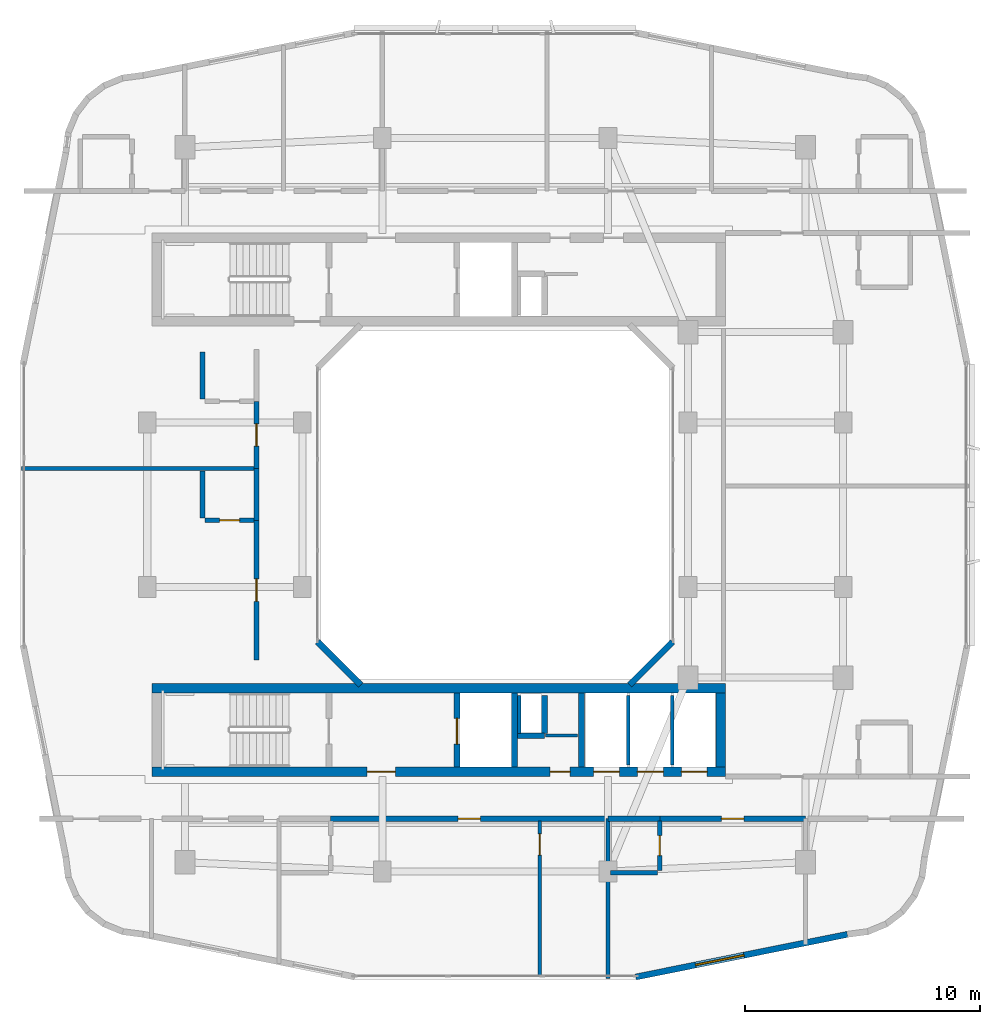
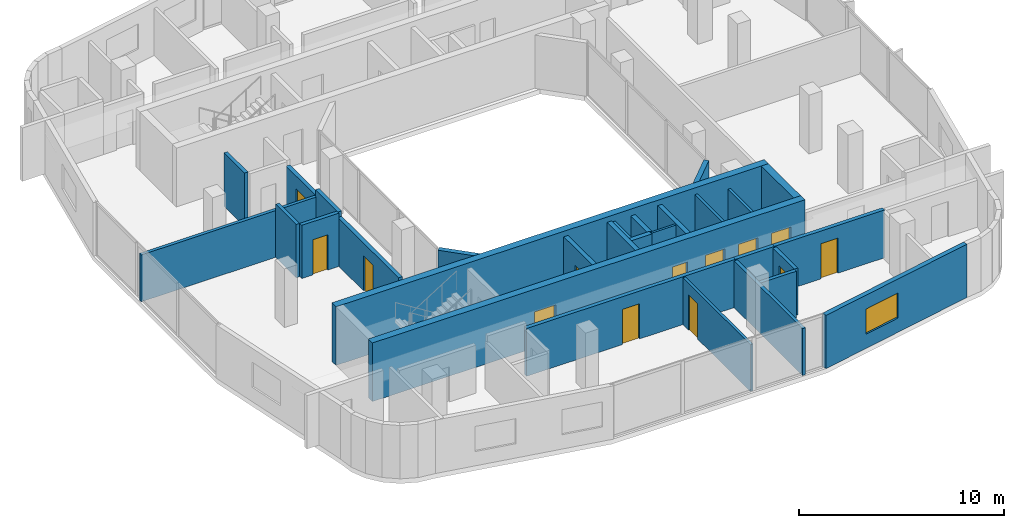
# One storey, part 7 of 14: 29 walls, 13 doors, 1 window, 14 openings.
"""IFC4 building model written with IfcOpenShell, lengths in metres."""

import ifcopenshell
import ifcopenshell.guid

model = None  # the IFC model being written
_history = None  # IfcOwnerHistory: only IFC2X3 demands one
_inside = {}  # id of a spatial element -> (the spatial element, [elements in it])
_under = {}  # id of a project, library or spatial element -> (it, [spatial elements below it])
_declared = {}  # id of a project -> (the project, [libraries it declares])
_typed = {}  # id of a type object -> (the type object, [elements of that type])
_made_of = {}  # id of a material, layer set ... -> (it, [elements and type objects made of it])


def new_model(schema):
    """Start an empty IFC model of exactly this schema.

    Asked for "IFC4X3", IfcOpenShell would pick the latest addendum, in which some entities
    have other attributes; the version numbers below select the first issue.
    IFC2X3 requires an IfcOwnerHistory on every rooted entity: one is made here for all.
    """
    global model, _history
    if schema == "IFC4X3":
        model = ifcopenshell.file(schema_version=(4, 3, 0, 0))
    else:
        model = ifcopenshell.file(schema=schema)
    _inside.clear()
    _under.clear()
    _declared.clear()
    _typed.clear()
    _made_of.clear()
    _history = None
    if model.schema == "IFC2X3":
        org = make("IfcOrganization", Name="unknown")
        user = make(
            "IfcPersonAndOrganization",
            ThePerson=make("IfcPerson", FamilyName="unknown"),
            TheOrganization=org,
        )
        app = make(
            "IfcApplication",
            ApplicationDeveloper=org,
            Version="unknown",
            ApplicationFullName="unknown",
            ApplicationIdentifier="unknown",
        )
        _history = make(
            "IfcOwnerHistory",
            OwningUser=user,
            OwningApplication=app,
            ChangeAction="ADDED",
            CreationDate=0,
        )
    return model


def make(cls, **values):
    """One entity of the class cls with the attributes given. An attribute that is None is left unset."""
    return model.create_entity(
        cls, **{name: value for name, value in values.items() if value is not None}
    )


def rooted(cls, **values):
    """An entity with a GlobalId (a new one), such as an element, a storey or a relation."""
    return make(cls, GlobalId=ifcopenshell.guid.new(), OwnerHistory=_history, **values)


def si_unit(unit_type, name, prefix=None):
    """IfcSIUnit, for example si_unit("LENGTHUNIT", "METRE", prefix="MILLI")."""
    return make("IfcSIUnit", UnitType=unit_type, Prefix=prefix, Name=name)


def derived_unit(unit_type, elements):
    """IfcDerivedUnit: a product of units, each with its exponent."""
    return make(
        "IfcDerivedUnit",
        Elements=[
            make("IfcDerivedUnitElement", Unit=unit, Exponent=power)
            for unit, power in elements
        ],
        UnitType=unit_type,
    )


def assignment(units):
    """IfcUnitAssignment: the units of a project."""
    return None if units is None else make("IfcUnitAssignment", Units=units)


def point(xyz):
    """IfcCartesianPoint."""
    return None if xyz is None else make("IfcCartesianPoint", Coordinates=xyz)


def direction(xyz):
    """IfcDirection."""
    return None if xyz is None else make("IfcDirection", DirectionRatios=xyz)


def frame(location, z_axis=None, x_axis=None):
    """IfcAxis2Placement3D, a coordinate frame: its origin and axes. An axis left out is left unset."""
    return make(
        "IfcAxis2Placement3D",
        Location=point(location),
        Axis=direction(z_axis),
        RefDirection=direction(x_axis),
    )


def frame_2d(location, x_axis=None):
    """IfcAxis2Placement2D, a coordinate frame in the plane: its origin and x axis."""
    return make(
        "IfcAxis2Placement2D", Location=point(location), RefDirection=direction(x_axis)
    )


def origin():
    """The frame at (0, 0, 0) with its axes left unset."""
    return frame((0.0, 0.0, 0.0))


def place(relative_to, where):
    """IfcLocalPlacement: puts the frame where relative to a parent placement (None: the world)."""
    return make(
        "IfcLocalPlacement", PlacementRelTo=relative_to, RelativePlacement=where
    )


def context(
    kind, dimensions, precision=None, world=None, true_north=None, identifier=None
):
    """IfcGeometricRepresentationContext, for example the 3D "Model" context."""
    return make(
        "IfcGeometricRepresentationContext",
        ContextIdentifier=identifier,
        ContextType=kind,
        CoordinateSpaceDimension=dimensions,
        Precision=precision,
        WorldCoordinateSystem=world,
        TrueNorth=true_north,
    )


def subcontext(parent, identifier, kind, view, scale=None):
    """IfcGeometricRepresentationSubContext, for example "Body" below "Model"."""
    return make(
        "IfcGeometricRepresentationSubContext",
        ContextIdentifier=identifier,
        ContextType=kind,
        ParentContext=parent,
        TargetScale=scale,
        TargetView=view,
    )


def project(units=None, contexts=None):
    """IfcProject with its units and contexts."""
    return rooted(
        "IfcProject",
        Name="project",
        RepresentationContexts=contexts,
        UnitsInContext=assignment(units),
    )


def spatial(cls, under=None, at=None, **own):
    """A site, building, storey or space (cls), placed at a placement, below another one or the project."""
    s = rooted(cls, ObjectPlacement=at, **own)
    if under is not None:
        _under.setdefault(under.id(), (under, []))[1].append(s)
    return s


def profile(cls, at=None, kind="AREA", **sizes):
    """A parametric profile (cls). Its sizes go by their IFC names, for example OverallWidth=200.0."""
    return make(cls, ProfileType=kind, Position=at, **sizes)


def rectangle(**sizes):
    """IfcRectangleProfileDef."""
    return profile("IfcRectangleProfileDef", **sizes)


def extrude(swept, where, along, depth):
    """IfcExtrudedAreaSolid: the profile swept, set in the frame where, extruded along a direction by depth."""
    return make(
        "IfcExtrudedAreaSolid",
        SweptArea=swept,
        Position=where,
        ExtrudedDirection=direction(along),
        Depth=depth,
    )


def shape(context_of_items, identifier, shape_type, items):
    """IfcShapeRepresentation: the items that make up one representation, for example the "Body"."""
    return make(
        "IfcShapeRepresentation",
        ContextOfItems=context_of_items,
        RepresentationIdentifier=identifier,
        RepresentationType=shape_type,
        Items=items,
    )


def material(Name=None, Category=None):
    """IfcMaterial."""
    return make("IfcMaterial", Name=Name, Category=Category)


def layer(
    of_material, thickness, ventilated=None, Name=None, Category=None, Priority=None
):
    """IfcMaterialLayer: one layer of a wall or slab, of a material (None: an air gap)."""
    return make(
        "IfcMaterialLayer",
        Material=of_material,
        LayerThickness=thickness,
        IsVentilated=ventilated,
        Name=Name,
        Category=Category,
        Priority=Priority,
    )


def layer_set(layers, Name=None):
    """IfcMaterialLayerSet."""
    return make("IfcMaterialLayerSet", MaterialLayers=layers, LayerSetName=Name)


def made_of(thing, what):
    """Note that an element or type object is made of a material, layer set ...; save() writes the relation."""
    if what is not None:
        _made_of.setdefault(what.id(), (what, []))[1].append(thing)
    return thing


def type_object(cls, material=None, **own):
    """A type object (cls), such as IfcWallType, which elements share."""
    return made_of(rooted(cls, **own), material)


def element(
    cls,
    number,
    at=None,
    inside=None,
    cuts=None,
    type_object=None,
    material=None,
    context=None,
    identifier="Body",
    shape_type=None,
    held_by="IfcProductDefinitionShape",
    body=None,
    shapes=None,
    **own,
):
    """One element of the class cls, such as IfcWall. Its Tag is "e" and its number.

    at: its placement. inside: the storey or other place that contains it. cuts: it is an
    opening in that element (IfcRelVoidsElement). A single representation is given by context,
    identifier, shape_type and body (its items); several are given by shapes. held_by: the class
    of the entity that holds the representations. save() writes the other relations.
    """
    e = rooted(cls, Tag="e%d" % number, ObjectPlacement=at, **own)
    if body is not None:
        shapes = [shape(context, identifier, shape_type, body)]
    if shapes is not None:
        e.Representation = make(held_by, Representations=shapes)
    if inside is not None:
        _inside.setdefault(inside.id(), (inside, []))[1].append(e)
    if cuts is not None:
        rooted(
            "IfcRelVoidsElement", RelatingBuildingElement=cuts, RelatedOpeningElement=e
        )
    if type_object is not None:
        _typed.setdefault(type_object.id(), (type_object, []))[1].append(e)
    return made_of(e, material)


def fill(opening, filler):
    """IfcRelFillsElement: the door or window that sits in an opening."""
    return rooted(
        "IfcRelFillsElement",
        RelatingOpeningElement=opening,
        RelatedBuildingElement=filler,
    )


def aggregate(whole, parts):
    """IfcRelAggregates: a whole, such as a stair, and the parts it consists of."""
    return rooted("IfcRelAggregates", RelatingObject=whole, RelatedObjects=parts)


def save(model, path):
    """Write the relations noted so far, then the file.

    IfcRelAggregates (storeys below a building ...), IfcRelContainedInSpatialStructure (elements
    in a storey), IfcRelDefinesByType, IfcRelAssociatesMaterial and IfcRelDeclares: one each for
    every whole, place, type object, material and project.
    """
    for whole, parts in _under.values():
        aggregate(whole, parts)
    for where, things in _inside.values():
        rooted(
            "IfcRelContainedInSpatialStructure",
            RelatedElements=things,
            RelatingStructure=where,
        )
    for kind, things in _typed.values():
        rooted("IfcRelDefinesByType", RelatedObjects=things, RelatingType=kind)
    for what, things in _made_of.values():
        rooted("IfcRelAssociatesMaterial", RelatedObjects=things, RelatingMaterial=what)
    for by, libraries in _declared.values():
        rooted("IfcRelDeclares", RelatingContext=by, RelatedDefinitions=libraries)
    model.write(path)


model = new_model("IFC4")

# Units and contexts
model_context = context("Model", 3, precision=1e-05, world=origin(), true_north=direction((0.0, 1.0)))
body_context = subcontext(model_context, "Body", "Model", "MODEL_VIEW")
ifc_project = project(units=[si_unit("LENGTHUNIT", "METRE"), si_unit("AREAUNIT", "SQUARE_METRE"), si_unit("VOLUMEUNIT", "CUBIC_METRE"), si_unit("PLANEANGLEUNIT", "RADIAN"), si_unit("MASSUNIT", "GRAM", prefix="KILO"), derived_unit("THERMALTRANSMITTANCEUNIT", [(si_unit("POWERUNIT", "WATT"), 1), (si_unit("LENGTHUNIT", "METRE"), -2), (si_unit("THERMODYNAMICTEMPERATUREUNIT", "KELVIN"), -1)])], contexts=[model_context])

# Site, building, storey
site_placement = place(None, origin())
site = spatial("IfcSite", under=ifc_project, at=site_placement, CompositionType="ELEMENT")
building_placement = place(site_placement, origin())
building = spatial("IfcBuilding", under=site, at=building_placement, Name="Kivonza Crest Hotel", CompositionType="ELEMENT")
storey_placement = place(building_placement, frame((0.0, 0.0, 169.5)))
storey = spatial("IfcBuildingStorey", under=building, at=storey_placement, Name="L46", CompositionType="ELEMENT", Elevation=169.5)

# Walls
ifc_material_1 = material(Name="High-density acoustic masonry inter-tenancy wall", Category="masonry")
ifc_layer_1 = layer(ifc_material_1, 0.179931640625)
ifc_layer_set_1 = layer_set([ifc_layer_1], Name="High-density acoustic masonry inter-tenancy wall")
wall_type_1 = type_object("IfcWallType", Name="WL-ACOU-180", PredefinedType="SOLIDWALL", material=ifc_layer_set_1)
wall_1_placement = place(storey_placement, frame((25.800048828125, 4.860107421875, 0.0), z_axis=(0.0, 0.0, 1.0), x_axis=(0.0, 1.0, 0.0)))
element("IfcWall", 1, at=wall_1_placement, inside=storey, type_object=wall_type_1, Name="L46 interior partition WA-L46-T1S-DIV2", PredefinedType="SOLIDWALL", context=body_context, shape_type="SweptSolid", body=[
    extrude(rectangle(XDim=6.789794921875, YDim=0.179931640625, at=frame_2d((3.39501953125, 0.0))), origin(), (0.0, 0.0, 1.0), 2.794921875),
])
wall_2_placement = place(storey_placement, frame((0.860107421875, 26.5400390625, 0.0), z_axis=(0.0, 0.0, 1.0), x_axis=(1.0, 0.0, 0.0)))
element("IfcWall", 2, at=wall_2_placement, inside=storey, type_object=wall_type_1, Name="L46 interior partition WA-L46-T1W-DIV1", PredefinedType="SOLIDWALL", context=body_context, shape_type="SweptSolid", body=[
    extrude(rectangle(XDim=9.989990234375, YDim=0.179931640625, at=frame_2d((4.9951171875, 0.0))), origin(), (0.0, 0.0, 1.0), 2.794921875),
])

# Wall, opening, door
ifc_material_2 = material(Name="Autoclaved aerated concrete blockwork", Category="masonry")
ifc_layer_2 = layer(ifc_material_2, 0.219970703125)
ifc_layer_set_2 = layer_set([ifc_layer_2], Name="Autoclaved aerated concrete blockwork")
wall_type_2 = type_object("IfcWallType", Name="WL-ACOU-220", PredefinedType="SOLIDWALL", material=ifc_layer_set_2)
wall_3_placement = place(storey_placement, frame((14.0, 11.64990234375, 0.0), z_axis=(0.0, 0.0, 1.0), x_axis=(1.0, 0.0, 0.0)))
wall_3 = element("IfcWall", 3, at=wall_3_placement, inside=storey, type_object=wall_type_2, Name="L46 interior partition WA-L46-S03-MCORR", PredefinedType="SOLIDWALL", context=body_context, shape_type="SweptSolid", body=[
    extrude(rectangle(XDim=11.800048828125, YDim=0.219970703125, at=frame_2d((5.89990234375, 0.0))), origin(), (0.0, 0.0, 1.0), 2.85498046875),
])
opening_1_placement = place(wall_3_placement, frame((5.425048828125, 0.0, 0.0)))
opening_1 = element("IfcOpeningElement", 4, at=opening_1_placement, cuts=wall_3, Name="Opening DU-60", PredefinedType="OPENING", context=body_context, shape_type="SweptSolid", body=[
    extrude(rectangle(XDim=0.949951171875, YDim=2.10009765625, at=frame_2d((0.47509765625, 1.050048828125))), frame((0.0, 0.1201171875, 0.0), z_axis=(0.0, -1.0, 0.0), x_axis=(1.0, 0.0, 0.0)), (0.0, 0.0, 1.0), 0.239990234375),
])
ifc_material_3 = material(Name="Hardwood timber oak", Category="wood")
door_type_1 = type_object("IfcDoorType", Name="DR-UNIT-950", OperationType="NOTDEFINED", PredefinedType="DOOR", material=ifc_material_3)
door_1_placement = place(opening_1_placement, frame((0.949951171875, 0.0, 0.0), z_axis=(0.0, 0.0, 1.0), x_axis=(-1.0, 0.0, 0.0)))
door_1 = element("IfcDoor", 5, at=door_1_placement, inside=storey, type_object=door_type_1, Name="L46 S03 guest unit entrance fire door", OperationType="SINGLE_SWING_LEFT", OverallHeight=2.10009765625, OverallWidth=0.949951171875, PredefinedType="DOOR", context=body_context, shape_type="SweptSolid", body=[
    extrude(rectangle(XDim=0.949951171875, YDim=2.10009765625, at=frame_2d((0.47509765625, 1.050048828125))), frame((0.0, 0.02490234375, 0.0), z_axis=(0.0, -1.0, 0.0), x_axis=(1.0, 0.0, 0.0)), (0.0, 0.0, 1.0), 0.050048828125),
])
fill(opening_1, door_1)

# Wall
wall_4_placement = place(storey_placement, frame((25.800048828125, 11.64990234375, 0.0), z_axis=(0.0, 0.0, 1.0), x_axis=(1.0, 0.0, 0.0)))
element("IfcWall", 6, at=wall_4_placement, inside=storey, type_object=wall_type_2, Name="L46 interior partition WA-L46-S04-BCORR", PredefinedType="SOLIDWALL", context=body_context, shape_type="SweptSolid", body=[
    extrude(rectangle(XDim=2.199951171875, YDim=0.219970703125, at=frame_2d((1.10009765625, 0.0))), origin(), (0.0, 0.0, 1.0), 2.85498046875),
])

# Wall, opening, door
wall_5_placement = place(storey_placement, frame((28.0, 11.64990234375, 0.0), z_axis=(0.0, 0.0, 1.0), x_axis=(1.0, 0.0, 0.0)))
wall_5 = element("IfcWall", 7, at=wall_5_placement, inside=storey, type_object=wall_type_2, Name="L46 interior partition WA-L46-S04-MCORR", PredefinedType="SOLIDWALL", context=body_context, shape_type="SweptSolid", body=[
    extrude(rectangle(XDim=6.199951171875, YDim=0.219970703125, at=frame_2d((3.10009765625, 0.0))), origin(), (0.0, 0.0, 1.0), 2.85498046875),
])
opening_2_placement = place(wall_5_placement, frame((2.625, 0.0, 0.0)))
opening_2 = element("IfcOpeningElement", 8, at=opening_2_placement, cuts=wall_5, Name="Opening DU-60", PredefinedType="OPENING", context=body_context, shape_type="SweptSolid", body=[
    extrude(rectangle(XDim=0.949951171875, YDim=2.10009765625, at=frame_2d((0.47509765625, 1.050048828125))), frame((0.0, 0.1201171875, 0.0), z_axis=(0.0, -1.0, 0.0), x_axis=(1.0, 0.0, 0.0)), (0.0, 0.0, 1.0), 0.239990234375),
])
door_2_placement = place(opening_2_placement, frame((0.949951171875, 0.0, 0.0), z_axis=(0.0, 0.0, 1.0), x_axis=(-1.0, 0.0, 0.0)))
door_2 = element("IfcDoor", 9, at=door_2_placement, inside=storey, type_object=door_type_1, Name="L46 S04 guest unit entrance fire door", OperationType="SINGLE_SWING_RIGHT", OverallHeight=2.10009765625, OverallWidth=0.949951171875, PredefinedType="DOOR", context=body_context, shape_type="SweptSolid", body=[
    extrude(rectangle(XDim=0.949951171875, YDim=2.10009765625, at=frame_2d((0.47509765625, 1.050048828125))), frame((0.0, 0.02490234375, 0.0), z_axis=(0.0, -1.0, 0.0), x_axis=(1.0, 0.0, 0.0)), (0.0, 0.0, 1.0), 0.050048828125),
])
fill(opening_2, door_2)

# Wall
wall_6_placement = place(storey_placement, frame((10.85009765625, 24.340087890625, 0.0), z_axis=(0.0, 0.0, 1.0), x_axis=(0.0, 1.0, 0.0)))
element("IfcWall", 10, at=wall_6_placement, inside=storey, type_object=wall_type_2, Name="L46 interior partition WA-L46-W05-BCORR", PredefinedType="SOLIDWALL", context=body_context, shape_type="SweptSolid", body=[
    extrude(rectangle(XDim=2.199951171875, YDim=0.219970703125, at=frame_2d((1.10009765625, 0.0))), origin(), (0.0, 0.0, 1.0), 3.179931640625),
])

# Wall, opening, door
wall_7_placement = place(storey_placement, frame((10.85009765625, 18.39990234375, 0.0), z_axis=(0.0, 0.0, 1.0), x_axis=(0.0, 1.0, 0.0)))
wall_7 = element("IfcWall", 11, at=wall_7_placement, inside=storey, type_object=wall_type_2, Name="L46 interior partition WA-L46-W05-MCORR", PredefinedType="SOLIDWALL", context=body_context, shape_type="SweptSolid", body=[
    extrude(rectangle(XDim=5.940185546875, YDim=0.219970703125, at=frame_2d((2.97021484375, 0.0))), origin(), (0.0, 0.0, 1.0), 2.85498046875),
])
opening_3_placement = place(wall_7_placement, frame((2.4951171875, 0.0, 0.0)))
opening_3 = element("IfcOpeningElement", 12, at=opening_3_placement, cuts=wall_7, Name="Opening DU-60", PredefinedType="OPENING", context=body_context, shape_type="SweptSolid", body=[
    extrude(rectangle(XDim=0.949951171875, YDim=2.10009765625, at=frame_2d((0.47509765625, 1.050048828125))), frame((0.0, 0.1201171875, 0.0), z_axis=(0.0, -1.0, 0.0), x_axis=(1.0, 0.0, 0.0)), (0.0, 0.0, 1.0), 0.239990234375),
])
door_3_placement = place(opening_3_placement, origin())
door_3 = element("IfcDoor", 13, at=door_3_placement, inside=storey, type_object=door_type_1, Name="L46 W05 guest unit entrance fire door", OperationType="SINGLE_SWING_LEFT", OverallHeight=2.10009765625, OverallWidth=0.949951171875, PredefinedType="DOOR", context=body_context, shape_type="SweptSolid", body=[
    extrude(rectangle(XDim=0.949951171875, YDim=2.10009765625, at=frame_2d((0.47509765625, 1.050048828125))), frame((0.0, 0.02490234375, 0.0), z_axis=(0.0, -1.0, 0.0), x_axis=(1.0, 0.0, 0.0)), (0.0, 0.0, 1.0), 0.050048828125),
])
fill(opening_3, door_3)

wall_8_placement = place(storey_placement, frame((10.85009765625, 26.5400390625, 0.0), z_axis=(0.0, 0.0, 1.0), x_axis=(0.0, 1.0, 0.0)))
wall_8 = element("IfcWall", 14, at=wall_8_placement, inside=storey, type_object=wall_type_2, Name="L46 interior partition WA-L46-W06-MCORR", PredefinedType="SOLIDWALL", context=body_context, shape_type="SweptSolid", body=[
    extrude(rectangle(XDim=2.85986328125, YDim=0.219970703125, at=frame_2d((1.429931640625, 0.0))), origin(), (0.0, 0.0, 1.0), 2.85498046875),
])
opening_4_placement = place(wall_8_placement, frame((0.955078125, 0.0, 0.0)))
opening_4 = element("IfcOpeningElement", 15, at=opening_4_placement, cuts=wall_8, Name="Opening DU-60", PredefinedType="OPENING", context=body_context, shape_type="SweptSolid", body=[
    extrude(rectangle(XDim=0.949951171875, YDim=2.10009765625, at=frame_2d((0.47509765625, 1.050048828125))), frame((0.0, 0.1201171875, 0.0), z_axis=(0.0, -1.0, 0.0), x_axis=(1.0, 0.0, 0.0)), (0.0, 0.0, 1.0), 0.239990234375),
])
door_4_placement = place(opening_4_placement, origin())
door_4 = element("IfcDoor", 16, at=door_4_placement, inside=storey, type_object=door_type_1, Name="L46 W06 guest unit entrance fire door", OperationType="SINGLE_SWING_RIGHT", OverallHeight=2.10009765625, OverallWidth=0.949951171875, PredefinedType="DOOR", context=body_context, shape_type="SweptSolid", body=[
    extrude(rectangle(XDim=0.949951171875, YDim=2.10009765625, at=frame_2d((0.47509765625, 1.050048828125))), frame((0.0, 0.02490234375, 0.0), z_axis=(0.0, -1.0, 0.0), x_axis=(1.0, 0.0, 0.0)), (0.0, 0.0, 1.0), 0.050048828125),
])
fill(opening_4, door_4)

# Wall, openings, doors
ifc_material_4 = material(Name="Concrete C50/60", Category="concrete")
ifc_layer_3 = layer(ifc_material_4, 0.39990234375)
ifc_layer_set_3 = layer_set([ifc_layer_3], Name="Concrete C50/60")
wall_type_3 = type_object("IfcWallType", Name="WL-CORE-400", PredefinedType="SHEAR", material=ifc_layer_set_3)
wall_9_placement = place(storey_placement, frame((6.39990234375, 13.639892578125, 0.0), z_axis=(0.0, 0.0, 1.0), x_axis=(1.0, 0.0, 0.0)))
wall_9 = element("IfcWall", 17, at=wall_9_placement, inside=storey, type_object=wall_type_3, Name="Core wall T1-S South L46", PredefinedType="SHEAR", context=body_context, shape_type="SweptSolid", body=[
    extrude(rectangle(XDim=24.400146484375, YDim=0.39990234375, at=frame_2d((12.2001953125, 0.0))), origin(), (0.0, 0.0, 1.0), 3.5),
])
opening_5_placement = place(wall_9_placement, frame((9.14990234375, 0.0, 0.0)))
opening_5 = element("IfcOpeningElement", 18, at=opening_5_placement, cuts=wall_9, Name="Opening DF-60", PredefinedType="OPENING", context=body_context, shape_type="SweptSolid", body=[
    extrude(rectangle(XDim=1.199951171875, YDim=2.14990234375, at=frame_2d((0.60009765625, 1.074951171875))), frame((0.0, 0.2099609375, 0.0), z_axis=(0.0, -1.0, 0.0), x_axis=(1.0, 0.0, 0.0)), (0.0, 0.0, 1.0), 0.419921875),
])
opening_6_placement = place(wall_9_placement, frame((16.93994140625, 0.0, 0.0)))
opening_6 = element("IfcOpeningElement", 19, at=opening_6_placement, cuts=wall_9, Name="Opening DF-60R", PredefinedType="OPENING", context=body_context, shape_type="SweptSolid", body=[
    extrude(rectangle(XDim=0.85009765625, YDim=2.10009765625, at=frame_2d((0.425048828125, 1.050048828125))), frame((0.0, 0.2099609375, 0.0), z_axis=(0.0, -1.0, 0.0), x_axis=(1.0, 0.0, 0.0)), (0.0, 0.0, 1.0), 0.419921875),
])
opening_7_placement = place(wall_9_placement, frame((18.782958984375, 0.0, 0.0)))
opening_7 = element("IfcOpeningElement", 20, at=opening_7_placement, cuts=wall_9, Name="Opening LD-120", PredefinedType="OPENING", context=body_context, shape_type="SweptSolid", body=[
    extrude(rectangle(XDim=1.10009765625, YDim=2.14990234375, at=frame_2d((0.550048828125, 1.074951171875))), frame((0.0, 0.2099609375, 0.0), z_axis=(0.0, -1.0, 0.0), x_axis=(1.0, 0.0, 0.0)), (0.0, 0.0, 1.0), 0.419921875),
])
opening_8_placement = place(wall_9_placement, frame((20.64990234375, 0.0, 0.0)))
opening_8 = element("IfcOpeningElement", 21, at=opening_8_placement, cuts=wall_9, Name="Opening LD-120", PredefinedType="OPENING", context=body_context, shape_type="SweptSolid", body=[
    extrude(rectangle(XDim=1.10009765625, YDim=2.14990234375, at=frame_2d((0.550048828125, 1.074951171875))), frame((0.0, 0.2099609375, 0.0), z_axis=(0.0, -1.0, 0.0), x_axis=(1.0, 0.0, 0.0)), (0.0, 0.0, 1.0), 0.419921875),
])
opening_9_placement = place(wall_9_placement, frame((22.51708984375, 0.0, 0.0)))
opening_9 = element("IfcOpeningElement", 22, at=opening_9_placement, cuts=wall_9, Name="Opening LD-120", PredefinedType="OPENING", context=body_context, shape_type="SweptSolid", body=[
    extrude(rectangle(XDim=1.10009765625, YDim=2.14990234375, at=frame_2d((0.550048828125, 1.074951171875))), frame((0.0, 0.2099609375, 0.0), z_axis=(0.0, -1.0, 0.0), x_axis=(1.0, 0.0, 0.0)), (0.0, 0.0, 1.0), 0.419921875),
])
door_type_2 = type_object("IfcDoorType", Name="DR-FD60-1200", OperationType="NOTDEFINED", PredefinedType="DOOR", material=ifc_material_3)
door_5_placement = place(opening_5_placement, frame((1.199951171875, 0.0, 0.0), z_axis=(0.0, 0.0, 1.0), x_axis=(-1.0, 0.0, 0.0)))
door_5 = element("IfcDoor", 23, at=door_5_placement, inside=storey, type_object=door_type_2, Name="L46 T1-S firefighting lobby fire door", OperationType="SINGLE_SWING_LEFT", OverallHeight=2.14990234375, OverallWidth=1.199951171875, PredefinedType="DOOR", context=body_context, shape_type="SweptSolid", body=[
    extrude(rectangle(XDim=1.199951171875, YDim=2.14990234375, at=frame_2d((0.60009765625, 1.074951171875))), frame((0.0, 0.02490234375, 0.0), z_axis=(0.0, -1.0, 0.0), x_axis=(1.0, 0.0, 0.0)), (0.0, 0.0, 1.0), 0.050048828125),
])
fill(opening_5, door_5)
door_type_3 = type_object("IfcDoorType", Name="DR-FD60-850", OperationType="NOTDEFINED", PredefinedType="DOOR", material=ifc_material_3)
door_6_placement = place(opening_6_placement, frame((0.85009765625, 0.0, 0.0), z_axis=(0.0, 0.0, 1.0), x_axis=(-1.0, 0.0, 0.0)))
door_6 = element("IfcDoor", 24, at=door_6_placement, inside=storey, type_object=door_type_3, Name="L46 T1-S core room door", OperationType="SINGLE_SWING_RIGHT", OverallHeight=2.10009765625, OverallWidth=0.85009765625, PredefinedType="DOOR", context=body_context, shape_type="SweptSolid", body=[
    extrude(rectangle(XDim=0.85009765625, YDim=2.10009765625, at=frame_2d((0.425048828125, 1.050048828125))), frame((0.0, 0.02490234375, 0.0), z_axis=(0.0, -1.0, 0.0), x_axis=(1.0, 0.0, 0.0)), (0.0, 0.0, 1.0), 0.050048828125),
])
fill(opening_6, door_6)
ifc_material_5 = material(Name="Stainless steel", Category="steel")
door_type_4 = type_object("IfcDoorType", Name="DR-LD120-1100", OperationType="NOTDEFINED", PredefinedType="DOOR", material=ifc_material_5)
door_7_placement = place(opening_7_placement, frame((1.10009765625, 0.0, 0.0), z_axis=(0.0, 0.0, 1.0), x_axis=(-1.0, 0.0, 0.0)))
door_7 = element("IfcDoor", 25, at=door_7_placement, inside=storey, type_object=door_type_4, Name="L46 PL-T1-H1 passenger lift sliding landing door", OperationType="DOUBLE_DOOR_SLIDING", OverallHeight=2.14990234375, OverallWidth=1.10009765625, PredefinedType="DOOR", context=body_context, shape_type="SweptSolid", body=[
    extrude(rectangle(XDim=1.10009765625, YDim=2.14990234375, at=frame_2d((0.550048828125, 1.074951171875))), frame((0.0, 0.02490234375, 0.0), z_axis=(0.0, -1.0, 0.0), x_axis=(1.0, 0.0, 0.0)), (0.0, 0.0, 1.0), 0.050048828125),
])
fill(opening_7, door_7)
door_8_placement = place(opening_8_placement, frame((1.10009765625, 0.0, 0.0), z_axis=(0.0, 0.0, 1.0), x_axis=(-1.0, 0.0, 0.0)))
door_8 = element("IfcDoor", 26, at=door_8_placement, inside=storey, type_object=door_type_4, Name="L46 PL-T1-H2 passenger lift sliding landing door", OperationType="DOUBLE_DOOR_SLIDING", OverallHeight=2.14990234375, OverallWidth=1.10009765625, PredefinedType="DOOR", context=body_context, shape_type="SweptSolid", body=[
    extrude(rectangle(XDim=1.10009765625, YDim=2.14990234375, at=frame_2d((0.550048828125, 1.074951171875))), frame((0.0, 0.02490234375, 0.0), z_axis=(0.0, -1.0, 0.0), x_axis=(1.0, 0.0, 0.0)), (0.0, 0.0, 1.0), 0.050048828125),
])
fill(opening_8, door_8)
door_9_placement = place(opening_9_placement, frame((1.10009765625, 0.0, 0.0), z_axis=(0.0, 0.0, 1.0), x_axis=(-1.0, 0.0, 0.0)))
door_9 = element("IfcDoor", 27, at=door_9_placement, inside=storey, type_object=door_type_4, Name="L46 PL-T1-H3 passenger lift sliding landing door", OperationType="DOUBLE_DOOR_SLIDING", OverallHeight=2.14990234375, OverallWidth=1.10009765625, PredefinedType="DOOR", context=body_context, shape_type="SweptSolid", body=[
    extrude(rectangle(XDim=1.10009765625, YDim=2.14990234375, at=frame_2d((0.550048828125, 1.074951171875))), frame((0.0, 0.02490234375, 0.0), z_axis=(0.0, -1.0, 0.0), x_axis=(1.0, 0.0, 0.0)), (0.0, 0.0, 1.0), 0.050048828125),
])
fill(opening_9, door_9)

# Walls
wall_10_placement = place(storey_placement, frame((6.39990234375, 17.199951171875, 0.0), z_axis=(0.0, 0.0, 1.0), x_axis=(1.0, 0.0, 0.0)))
element("IfcWall", 28, at=wall_10_placement, inside=storey, type_object=wall_type_3, Name="Core wall T1-S North L46", PredefinedType="SHEAR", context=body_context, shape_type="SweptSolid", body=[
    extrude(rectangle(XDim=24.400146484375, YDim=0.39990234375, at=frame_2d((12.2001953125, 0.0))), origin(), (0.0, 0.0, 1.0), 3.5),
])
wall_11_placement = place(storey_placement, frame((30.60009765625, 13.840087890625, 0.0), z_axis=(0.0, 0.0, 1.0), x_axis=(0.0, 1.0, 0.0)))
element("IfcWall", 29, at=wall_11_placement, inside=storey, type_object=wall_type_3, Name="Core wall T1-S East L46", PredefinedType="SHEAR", context=body_context, shape_type="SweptSolid", body=[
    extrude(rectangle(XDim=3.159912109375, YDim=0.39990234375, at=frame_2d((1.580078125, 0.0))), origin(), (0.0, 0.0, 1.0), 3.5),
])

# Wall, opening, window
ifc_material_6 = material(Name="Precast concrete C40/50", Category="concrete")
ifc_layer_4 = layer(ifc_material_6, 0.260009765625)
ifc_layer_set_4 = layer_set([ifc_layer_4], Name="Precast concrete C40/50")
wall_type_4 = type_object("IfcWallType", Name="WL-EXT-260", PredefinedType="STANDARD", material=ifc_layer_set_4)
wall_12_placement = place(storey_placement, frame((26.97998046875, 4.916015625, 0.0), z_axis=(0.0, 0.0, 1.0), x_axis=(0.980315963543, 0.197435082048, 0.0)))
wall_12 = element("IfcWall", 30, at=wall_12_placement, inside=storey, type_object=wall_type_4, Name="L46 T1 exterior insulated wall 9", PredefinedType="STANDARD", context=body_context, shape_type="SweptSolid", body=[
    extrude(rectangle(XDim=9.1826171875, YDim=0.260009765625, at=frame_2d((4.59130859375, 0.0))), origin(), (0.0, 0.0, 1.0), 3.179931640625),
])
opening_10_placement = place(wall_12_placement, frame((2.594970703125, 0.0, 0.85009765625)))
opening_10 = element("IfcOpeningElement", 31, at=opening_10_placement, cuts=wall_12, Name="Opening WN-04", PredefinedType="OPENING", context=body_context, shape_type="SweptSolid", body=[
    extrude(rectangle(XDim=2.10009765625, YDim=1.5, at=frame_2d((1.050048828125, 0.75))), frame((0.0, 0.14013671875, 0.0), z_axis=(0.0, -1.0, 0.0), x_axis=(1.0, 0.0, 0.0)), (0.0, 0.0, 1.0), 0.280029296875),
])
ifc_material_7 = material(Name="Thermally broken bronze aluminium and low-E double glazing", Category="aluminium")
window_type = type_object("IfcWindowType", Name="WN-210x150", PartitioningType="DOUBLE_PANEL_VERTICAL", PredefinedType="WINDOW", material=ifc_material_7)
window_placement = place(opening_10_placement, origin())
window = element("IfcWindow", 32, at=window_placement, inside=storey, type_object=window_type, Name="L46 T1 facade window 9", OverallHeight=1.5, OverallWidth=2.10009765625, PartitioningType="SINGLE_PANEL", PredefinedType="WINDOW", context=body_context, shape_type="SweptSolid", body=[
    extrude(rectangle(XDim=2.10009765625, YDim=1.5, at=frame_2d((1.050048828125, 0.75))), frame((0.0, 0.030029296875, 0.0), z_axis=(0.0, -1.0, 0.0), x_axis=(1.0, 0.0, 0.0)), (0.0, 0.0, 1.0), 0.06005859375),
])
fill(opening_10, window)

# Walls
for number, where, z_axis, x_axis, name in (
    (33, (26.721923828125, 17.337890625, 0.0), (0.0, 0.0, 1.0), (0.707059717605, 0.707153841636, 0.0), "L46 T1 light-well exterior wall 2"),
    (34, (13.444091796875, 19.172119140625, 0.0), (0.0, 0.0, 1.0), (0.707059717605, -0.707153841636, 0.0), "L46 T1 light-well exterior wall 8"),
):
    element("IfcWall", number, at=place(storey_placement, frame(where, z_axis=z_axis, x_axis=x_axis)), inside=storey, type_object=wall_type_4, Name=name, PredefinedType="STANDARD", context=body_context, shape_type="SweptSolid", body=[
        extrude(rectangle(XDim=2.59375, YDim=0.260009765625, at=frame_2d((1.296875, 0.0))), origin(), (0.0, 0.0, 1.0), 3.179931640625),
    ])
ifc_material_8 = material(Name="Concrete blockwork fire-compartment wall", Category="masonry")
ifc_layer_5 = layer(ifc_material_8, 0.25)
ifc_layer_set_5 = layer_set([ifc_layer_5], Name="Concrete blockwork fire-compartment wall")
wall_type_5 = type_object("IfcWallType", Name="WL-FIRE-250", PredefinedType="SOLIDWALL", material=ifc_layer_set_5)
wall_13_placement = place(storey_placement, frame((23.10009765625, 15.280029296875, 0.0), z_axis=(0.0, 0.0, 1.0), x_axis=(0.0, 1.0, 0.0)))
element("IfcWall", 35, at=wall_13_placement, inside=storey, type_object=wall_type_5, Name="L46 interior partition WA-L46-T1-S-MEPR-E", PredefinedType="SOLIDWALL", context=body_context, shape_type="SweptSolid", body=[
    extrude(rectangle(XDim=1.619873046875, YDim=0.25, at=frame_2d((0.81005859375, 0.0))), origin(), (0.0, 0.0, 1.0), 3.179931640625),
])
wall_14_placement = place(storey_placement, frame((21.949951171875, 15.179931640625, 0.0), z_axis=(0.0, 0.0, 1.0), x_axis=(1.0, 0.0, 0.0)))
element("IfcWall", 36, at=wall_14_placement, inside=storey, type_object=wall_type_5, Name="L46 interior partition WA-L46-T1-S-MEPR-H", PredefinedType="SOLIDWALL", context=body_context, shape_type="SweptSolid", body=[
    extrude(rectangle(XDim=1.150146484375, YDim=0.25, at=frame_2d((0.5751953125, 0.0))), origin(), (0.0, 0.0, 1.0), 3.179931640625),
])
ifc_material_9 = material(Name="Metal-stud gypsum board partition", Category="gypsum")
ifc_layer_6 = layer(ifc_material_9, 0.125)
ifc_layer_set_6 = layer_set([ifc_layer_6], Name="Metal-stud gypsum board partition")
wall_type_6 = type_object("IfcWallType", Name="WL-PART-125", PredefinedType="PARTITIONING", material=ifc_layer_set_6)
wall_15_placement = place(storey_placement, frame((23.14990234375, 15.179931640625, 0.0), z_axis=(0.0, 0.0, 1.0), x_axis=(1.0, 0.0, 0.0)))
element("IfcWall", 37, at=wall_15_placement, inside=storey, type_object=wall_type_6, Name="L46 interior partition WP-L46-T1-S-SV2H", PredefinedType="PARTITIONING", context=body_context, shape_type="SweptSolid", body=[
    extrude(rectangle(XDim=1.35009765625, YDim=0.125, at=frame_2d((0.675048828125, 0.0))), origin(), (0.0, 0.0, 1.0), 3.179931640625),
])
ifc_material_10 = material(Name="Twin-stud acoustic gypsum board partition", Category="gypsum")
ifc_layer_7 = layer(ifc_material_10, 0.14990234375)
ifc_layer_set_7 = layer_set([ifc_layer_7], Name="Twin-stud acoustic gypsum board partition")
wall_type_7 = type_object("IfcWallType", Name="WL-PART-150", PredefinedType="PARTITIONING", material=ifc_layer_set_7)
wall_16_placement = place(storey_placement, frame((22.030029296875, 15.280029296875, 0.0), z_axis=(0.0, 0.0, 1.0), x_axis=(0.0, 1.0, 0.0)))
element("IfcWall", 38, at=wall_16_placement, inside=storey, type_object=wall_type_7, Name="L46 interior partition WA-L46-T1-S-MEPR-W", PredefinedType="PARTITIONING", context=body_context, shape_type="SweptSolid", body=[
    extrude(rectangle(XDim=1.619873046875, YDim=0.14990234375, at=frame_2d((0.81005859375, 0.0))), origin(), (0.0, 0.0, 1.0), 3.179931640625),
])
wall_17_placement = place(storey_placement, frame((26.6669921875, 13.93994140625, 0.0), z_axis=(0.0, 0.0, 1.0), x_axis=(0.0, 1.0, 0.0)))
element("IfcWall", 39, at=wall_17_placement, inside=storey, type_object=wall_type_7, Name="L46 interior partition WP-L46-T1-S-BSH-1", PredefinedType="PARTITIONING", context=body_context, shape_type="SweptSolid", body=[
    extrude(rectangle(XDim=2.9599609375, YDim=0.14990234375, at=frame_2d((1.47998046875, 0.0))), origin(), (0.0, 0.0, 1.0), 3.179931640625),
])
wall_18_placement = place(storey_placement, frame((28.532958984375, 13.93994140625, 0.0), z_axis=(0.0, 0.0, 1.0), x_axis=(0.0, 1.0, 0.0)))
element("IfcWall", 40, at=wall_18_placement, inside=storey, type_object=wall_type_7, Name="L46 interior partition WP-L46-T1-S-BSH-2", PredefinedType="PARTITIONING", context=body_context, shape_type="SweptSolid", body=[
    extrude(rectangle(XDim=2.9599609375, YDim=0.14990234375, at=frame_2d((1.47998046875, 0.0))), origin(), (0.0, 0.0, 1.0), 2.85498046875),
])

# Wall, opening, door
wall_19_placement = place(storey_placement, frame((22.89990234375, 4.9599609375, 0.0), z_axis=(0.0, 0.0, 1.0), x_axis=(0.0, 1.0, 0.0)))
wall_19 = element("IfcWall", 41, at=wall_19_placement, inside=storey, type_object=wall_type_7, Name="L46 interior partition WP-L46-S03-SPSP", PredefinedType="PARTITIONING", context=body_context, shape_type="SweptSolid", body=[
    extrude(rectangle(XDim=6.590087890625, YDim=0.14990234375, at=frame_2d((3.294921875, 0.0))), origin(), (0.0, 0.0, 1.0), 2.794921875),
])
opening_11_placement = place(wall_19_placement, frame((5.139892578125, 0.0, 0.0)))
opening_11 = element("IfcOpeningElement", 42, at=opening_11_placement, cuts=wall_19, Name="Opening DI-90", PredefinedType="OPENING", context=body_context, shape_type="SweptSolid", body=[
    extrude(rectangle(XDim=0.89990234375, YDim=2.10009765625, at=frame_2d((0.449951171875, 1.050048828125))), frame((0.0, 0.0849609375, 0.0), z_axis=(0.0, -1.0, 0.0), x_axis=(1.0, 0.0, 0.0)), (0.0, 0.0, 1.0), 0.169921875),
])
door_type_5 = type_object("IfcDoorType", Name="DR-INT-900", OperationType="NOTDEFINED", PredefinedType="DOOR", material=ifc_material_3)
door_10_placement = place(opening_11_placement, origin())
door_10 = element("IfcDoor", 43, at=door_10_placement, inside=storey, type_object=door_type_5, Name="L46 S03 suite bedroom door", OperationType="SINGLE_SWING_RIGHT", OverallHeight=2.10009765625, OverallWidth=0.89990234375, PredefinedType="DOOR", context=body_context, shape_type="SweptSolid", body=[
    extrude(rectangle(XDim=0.89990234375, YDim=2.10009765625, at=frame_2d((0.449951171875, 1.050048828125))), frame((0.0, 0.02490234375, 0.0), z_axis=(0.0, -1.0, 0.0), x_axis=(1.0, 0.0, 0.0)), (0.0, 0.0, 1.0), 0.050048828125),
])
fill(opening_11, door_10)

ifc_material_11 = material(Name="Moisture-resistant plumbing chase partition wall", Category="gypsum")
ifc_layer_8 = layer(ifc_material_11, 0.199951171875)
ifc_layer_set_8 = layer_set([ifc_layer_8], Name="Moisture-resistant plumbing chase partition wall")
wall_type_8 = type_object("IfcWallType", Name="WL-PLUMB-200", PredefinedType="PLUMBINGWALL", material=ifc_layer_set_8)
wall_20_placement = place(storey_placement, frame((28.0, 9.449951171875, 0.0), z_axis=(0.0, 0.0, 1.0), x_axis=(0.0, 1.0, 0.0)))
wall_20 = element("IfcWall", 44, at=wall_20_placement, inside=storey, type_object=wall_type_8, Name="L46 interior partition WW-L46-S04-BV", PredefinedType="PLUMBINGWALL", context=body_context, shape_type="SweptSolid", body=[
    extrude(rectangle(XDim=2.10009765625, YDim=0.199951171875, at=frame_2d((1.050048828125, 0.0))), origin(), (0.0, 0.0, 1.0), 2.794921875),
])
opening_12_placement = place(wall_20_placement, frame((0.625, 0.0, 0.0)))
opening_12 = element("IfcOpeningElement", 45, at=opening_12_placement, cuts=wall_20, Name="Opening DI-85", PredefinedType="OPENING", context=body_context, shape_type="SweptSolid", body=[
    extrude(rectangle(XDim=0.85009765625, YDim=2.10009765625, at=frame_2d((0.425048828125, 1.050048828125))), frame((0.0, 0.10986328125, 0.0), z_axis=(0.0, -1.0, 0.0), x_axis=(1.0, 0.0, 0.0)), (0.0, 0.0, 1.0), 0.219970703125),
])
door_type_6 = type_object("IfcDoorType", Name="DR-INT-850", OperationType="NOTDEFINED", PredefinedType="DOOR", material=ifc_material_3)
door_11_placement = place(opening_12_placement, frame((0.85009765625, 0.0, 0.0), z_axis=(0.0, 0.0, 1.0), x_axis=(-1.0, 0.0, 0.0)))
door_11 = element("IfcDoor", 46, at=door_11_placement, inside=storey, type_object=door_type_6, Name="L46 S04 en-suite bathroom door", OperationType="SINGLE_SWING_LEFT", OverallHeight=2.10009765625, OverallWidth=0.85009765625, PredefinedType="DOOR", context=body_context, shape_type="SweptSolid", body=[
    extrude(rectangle(XDim=0.85009765625, YDim=2.10009765625, at=frame_2d((0.425048828125, 1.050048828125))), frame((0.0, 0.02490234375, 0.0), z_axis=(0.0, -1.0, 0.0), x_axis=(1.0, 0.0, 0.0)), (0.0, 0.0, 1.0), 0.050048828125),
])
fill(opening_12, door_11)

# Wall
wall_21_placement = place(storey_placement, frame((25.89990234375, 9.35009765625, 0.0), z_axis=(0.0, 0.0, 1.0), x_axis=(1.0, 0.0, 0.0)))
element("IfcWall", 47, at=wall_21_placement, inside=storey, type_object=wall_type_8, Name="L46 interior partition WW-L46-S04-BH", PredefinedType="PLUMBINGWALL", context=body_context, shape_type="SweptSolid", body=[
    extrude(rectangle(XDim=2.0, YDim=0.199951171875, at=frame_2d((1.0, 0.0))), origin(), (0.0, 0.0, 1.0), 2.794921875),
])

# Wall, opening, door
wall_22_placement = place(storey_placement, frame((8.64990234375, 24.340087890625, 0.0), z_axis=(0.0, 0.0, 1.0), x_axis=(1.0, 0.0, 0.0)))
wall_22 = element("IfcWall", 48, at=wall_22_placement, inside=storey, type_object=wall_type_8, Name="L46 interior partition WW-L46-W05-BH", PredefinedType="PLUMBINGWALL", context=body_context, shape_type="SweptSolid", body=[
    extrude(rectangle(XDim=2.10009765625, YDim=0.199951171875, at=frame_2d((1.050048828125, 0.0))), origin(), (0.0, 0.0, 1.0), 3.179931640625),
])
opening_13_placement = place(wall_22_placement, frame((0.625, 0.0, 0.0)))
opening_13 = element("IfcOpeningElement", 49, at=opening_13_placement, cuts=wall_22, Name="Opening DI-85", PredefinedType="OPENING", context=body_context, shape_type="SweptSolid", body=[
    extrude(rectangle(XDim=0.85009765625, YDim=2.10009765625, at=frame_2d((0.425048828125, 1.050048828125))), frame((0.0, 0.10986328125, 0.0), z_axis=(0.0, -1.0, 0.0), x_axis=(1.0, 0.0, 0.0)), (0.0, 0.0, 1.0), 0.219970703125),
])
door_12_placement = place(opening_13_placement, frame((0.85009765625, 0.0, 0.0), z_axis=(0.0, 0.0, 1.0), x_axis=(-1.0, 0.0, 0.0)))
door_12 = element("IfcDoor", 50, at=door_12_placement, inside=storey, type_object=door_type_6, Name="L46 W05 en-suite bathroom door", OperationType="SINGLE_SWING_RIGHT", OverallHeight=2.10009765625, OverallWidth=0.85009765625, PredefinedType="DOOR", context=body_context, shape_type="SweptSolid", body=[
    extrude(rectangle(XDim=0.85009765625, YDim=2.10009765625, at=frame_2d((0.425048828125, 1.050048828125))), frame((0.0, 0.02490234375, 0.0), z_axis=(0.0, -1.0, 0.0), x_axis=(1.0, 0.0, 0.0)), (0.0, 0.0, 1.0), 0.050048828125),
])
fill(opening_13, door_12)

# Walls
for number, where, z_axis, x_axis, name in (
    (51, (8.550048828125, 24.43994140625, 0.0), (0.0, 0.0, 1.0), (0.0, 1.0, 0.0), "L46 interior partition WW-L46-W05-BV"),
    (52, (8.550048828125, 29.5, 0.0), (0.0, 0.0, 1.0), (0.0, 1.0, 0.0), "L46 interior partition WW-L46-W06-BV"),
):
    element("IfcWall", number, at=place(storey_placement, frame(where, z_axis=z_axis, x_axis=x_axis)), inside=storey, type_object=wall_type_8, Name=name, PredefinedType="PLUMBINGWALL", context=body_context, shape_type="SweptSolid", body=[
        extrude(rectangle(XDim=2.0, YDim=0.199951171875, at=frame_2d((1.0, 0.0))), origin(), (0.0, 0.0, 1.0), 3.179931640625),
    ])

# Wall, opening, door
ifc_layer_9 = layer(ifc_material_4, 0.25)
ifc_layer_set_9 = layer_set([ifc_layer_9], Name="Concrete C50/60")
wall_type_9 = type_object("IfcWallType", Name="WL-SHAFT-250", PredefinedType="STANDARD", material=ifc_layer_set_9)
wall_23_placement = place(storey_placement, frame((19.375, 13.840087890625, 0.0), z_axis=(0.0, 0.0, 1.0), x_axis=(0.0, 1.0, 0.0)))
wall_23 = element("IfcWall", 53, at=wall_23_placement, inside=storey, type_object=wall_type_9, Name="Core shaft wall T1-S FFL-W L46", PredefinedType="STANDARD", context=body_context, shape_type="SweptSolid", body=[
    extrude(rectangle(XDim=3.159912109375, YDim=0.25, at=frame_2d((1.580078125, 0.0))), origin(), (0.0, 0.0, 1.0), 3.179931640625),
])
opening_14_placement = place(wall_23_placement, frame((0.97998046875, 0.0, 0.0)))
opening_14 = element("IfcOpeningElement", 54, at=opening_14_placement, cuts=wall_23, Name="Opening LD-120", PredefinedType="OPENING", context=body_context, shape_type="SweptSolid", body=[
    extrude(rectangle(XDim=1.10009765625, YDim=2.14990234375, at=frame_2d((0.550048828125, 1.074951171875))), frame((0.0, 0.135009765625, 0.0), z_axis=(0.0, -1.0, 0.0), x_axis=(1.0, 0.0, 0.0)), (0.0, 0.0, 1.0), 0.27001953125),
])
door_13_placement = place(opening_14_placement, origin())
door_13 = element("IfcDoor", 55, at=door_13_placement, inside=storey, type_object=door_type_4, Name="L46 FFL-T1-S firefighting lift sliding landing door", OperationType="DOUBLE_DOOR_SLIDING", OverallHeight=2.14990234375, OverallWidth=1.10009765625, PredefinedType="DOOR", context=body_context, shape_type="SweptSolid", body=[
    extrude(rectangle(XDim=1.10009765625, YDim=2.14990234375, at=frame_2d((0.550048828125, 1.074951171875))), frame((0.0, 0.02490234375, 0.0), z_axis=(0.0, -1.0, 0.0), x_axis=(1.0, 0.0, 0.0)), (0.0, 0.0, 1.0), 0.050048828125),
])
fill(opening_14, door_13)

# Walls
for number, where, z_axis, x_axis, name in (
    (56, (21.824951171875, 13.840087890625, 0.0), (0.0, 0.0, 1.0), (0.0, 1.0, 0.0), "Core shaft wall T1-S FFL-E L46"),
    (57, (24.675048828125, 13.840087890625, 0.0), (0.0, 0.0, 1.0), (0.0, 1.0, 0.0), "Core shaft wall T1-S BANK-W L46"),
):
    element("IfcWall", number, at=place(storey_placement, frame(where, z_axis=z_axis, x_axis=x_axis)), inside=storey, type_object=wall_type_9, Name=name, PredefinedType="STANDARD", context=body_context, shape_type="SweptSolid", body=[
        extrude(rectangle(XDim=3.159912109375, YDim=0.25, at=frame_2d((1.580078125, 0.0))), origin(), (0.0, 0.0, 1.0), 3.179931640625),
    ])

save(model, "model.ifc")
